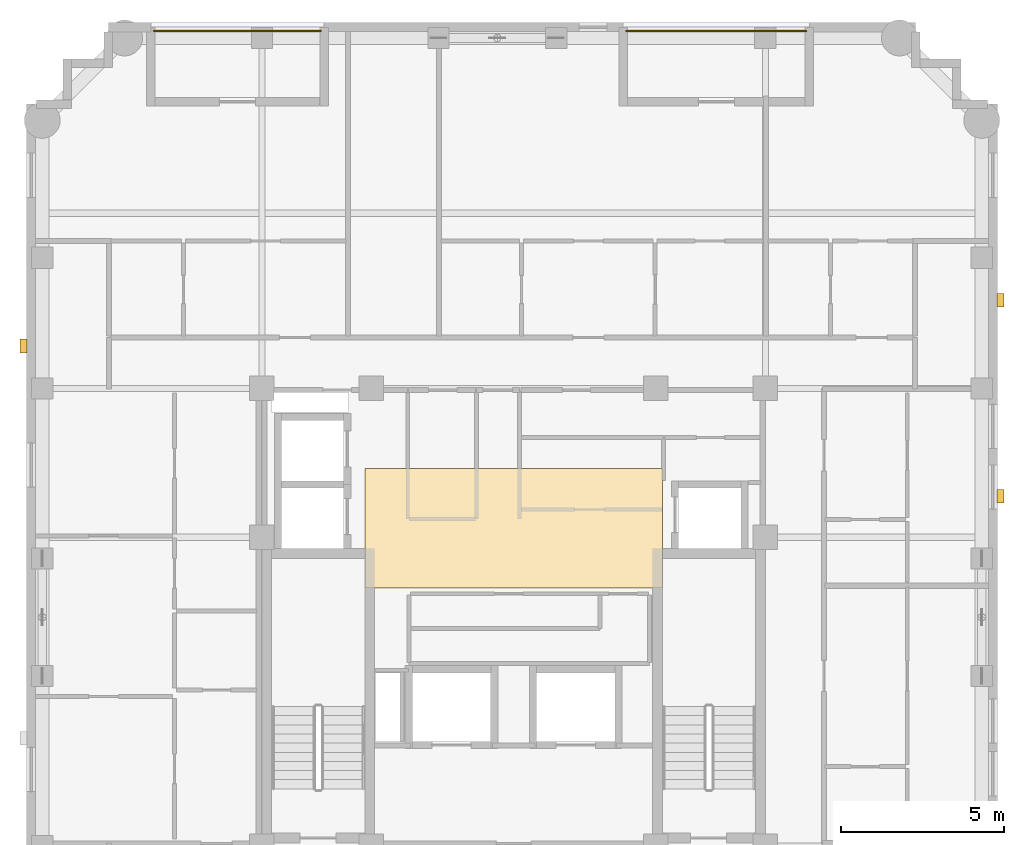
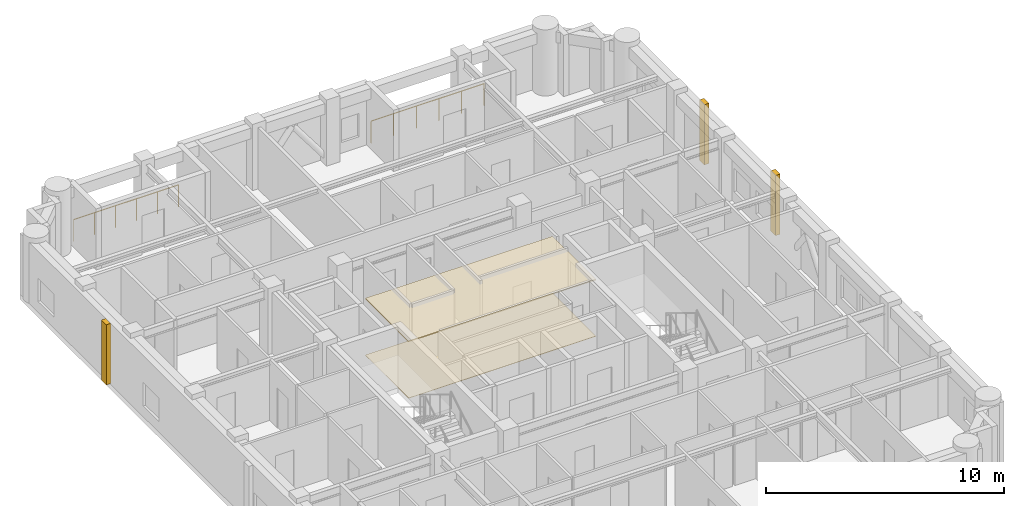
# One storey, part 10 of 10: 5 coverings, 2 railings.
"""IFC4 building model written with IfcOpenShell, lengths in metres."""

import ifcopenshell
import ifcopenshell.guid

model = None  # the IFC model being written
_history = None  # IfcOwnerHistory: only IFC2X3 demands one
_inside = {}  # id of a spatial element -> (the spatial element, [elements in it])
_under = {}  # id of a project, library or spatial element -> (it, [spatial elements below it])
_declared = {}  # id of a project -> (the project, [libraries it declares])
_typed = {}  # id of a type object -> (the type object, [elements of that type])
_made_of = {}  # id of a material, layer set ... -> (it, [elements and type objects made of it])


def new_model(schema):
    """Start an empty IFC model of exactly this schema.

    Asked for "IFC4X3", IfcOpenShell would pick the latest addendum, in which some entities
    have other attributes; the version numbers below select the first issue.
    IFC2X3 requires an IfcOwnerHistory on every rooted entity: one is made here for all.
    """
    global model, _history
    if schema == "IFC4X3":
        model = ifcopenshell.file(schema_version=(4, 3, 0, 0))
    else:
        model = ifcopenshell.file(schema=schema)
    _inside.clear()
    _under.clear()
    _declared.clear()
    _typed.clear()
    _made_of.clear()
    _history = None
    if model.schema == "IFC2X3":
        org = make("IfcOrganization", Name="unknown")
        user = make(
            "IfcPersonAndOrganization",
            ThePerson=make("IfcPerson", FamilyName="unknown"),
            TheOrganization=org,
        )
        app = make(
            "IfcApplication",
            ApplicationDeveloper=org,
            Version="unknown",
            ApplicationFullName="unknown",
            ApplicationIdentifier="unknown",
        )
        _history = make(
            "IfcOwnerHistory",
            OwningUser=user,
            OwningApplication=app,
            ChangeAction="ADDED",
            CreationDate=0,
        )
    return model


def make(cls, **values):
    """One entity of the class cls with the attributes given. An attribute that is None is left unset."""
    return model.create_entity(
        cls, **{name: value for name, value in values.items() if value is not None}
    )


def rooted(cls, **values):
    """An entity with a GlobalId (a new one), such as an element, a storey or a relation."""
    return make(cls, GlobalId=ifcopenshell.guid.new(), OwnerHistory=_history, **values)


def si_unit(unit_type, name, prefix=None):
    """IfcSIUnit, for example si_unit("LENGTHUNIT", "METRE", prefix="MILLI")."""
    return make("IfcSIUnit", UnitType=unit_type, Prefix=prefix, Name=name)


def derived_unit(unit_type, elements):
    """IfcDerivedUnit: a product of units, each with its exponent."""
    return make(
        "IfcDerivedUnit",
        Elements=[
            make("IfcDerivedUnitElement", Unit=unit, Exponent=power)
            for unit, power in elements
        ],
        UnitType=unit_type,
    )


def assignment(units):
    """IfcUnitAssignment: the units of a project."""
    return None if units is None else make("IfcUnitAssignment", Units=units)


def point(xyz):
    """IfcCartesianPoint."""
    return None if xyz is None else make("IfcCartesianPoint", Coordinates=xyz)


def direction(xyz):
    """IfcDirection."""
    return None if xyz is None else make("IfcDirection", DirectionRatios=xyz)


def frame(location, z_axis=None, x_axis=None):
    """IfcAxis2Placement3D, a coordinate frame: its origin and axes. An axis left out is left unset."""
    return make(
        "IfcAxis2Placement3D",
        Location=point(location),
        Axis=direction(z_axis),
        RefDirection=direction(x_axis),
    )


def frame_2d(location, x_axis=None):
    """IfcAxis2Placement2D, a coordinate frame in the plane: its origin and x axis."""
    return make(
        "IfcAxis2Placement2D", Location=point(location), RefDirection=direction(x_axis)
    )


def origin():
    """The frame at (0, 0, 0) with its axes left unset."""
    return frame((0.0, 0.0, 0.0))


def origin_2d():
    """The frame at (0, 0) in the plane with its x axis left unset."""
    return frame_2d((0.0, 0.0))


def place(relative_to, where):
    """IfcLocalPlacement: puts the frame where relative to a parent placement (None: the world)."""
    return make(
        "IfcLocalPlacement", PlacementRelTo=relative_to, RelativePlacement=where
    )


def context(
    kind, dimensions, precision=None, world=None, true_north=None, identifier=None
):
    """IfcGeometricRepresentationContext, for example the 3D "Model" context."""
    return make(
        "IfcGeometricRepresentationContext",
        ContextIdentifier=identifier,
        ContextType=kind,
        CoordinateSpaceDimension=dimensions,
        Precision=precision,
        WorldCoordinateSystem=world,
        TrueNorth=true_north,
    )


def subcontext(parent, identifier, kind, view, scale=None):
    """IfcGeometricRepresentationSubContext, for example "Body" below "Model"."""
    return make(
        "IfcGeometricRepresentationSubContext",
        ContextIdentifier=identifier,
        ContextType=kind,
        ParentContext=parent,
        TargetScale=scale,
        TargetView=view,
    )


def project(units=None, contexts=None):
    """IfcProject with its units and contexts."""
    return rooted(
        "IfcProject",
        Name="project",
        RepresentationContexts=contexts,
        UnitsInContext=assignment(units),
    )


def spatial(cls, under=None, at=None, **own):
    """A site, building, storey or space (cls), placed at a placement, below another one or the project."""
    s = rooted(cls, ObjectPlacement=at, **own)
    if under is not None:
        _under.setdefault(under.id(), (under, []))[1].append(s)
    return s


def polyline(points):
    """IfcPolyline through the points."""
    return make("IfcPolyline", Points=[point(p) for p in points])


def profile(cls, at=None, kind="AREA", **sizes):
    """A parametric profile (cls). Its sizes go by their IFC names, for example OverallWidth=200.0."""
    return make(cls, ProfileType=kind, Position=at, **sizes)


def rectangle(**sizes):
    """IfcRectangleProfileDef."""
    return profile("IfcRectangleProfileDef", **sizes)


def circle(**sizes):
    """IfcCircleProfileDef."""
    return profile("IfcCircleProfileDef", **sizes)


def outline(outer, holes=None, kind="AREA"):
    """IfcArbitraryClosedProfileDef: a profile drawn as a closed curve; with holes, ...WithVoids."""
    if holes is None:
        return make("IfcArbitraryClosedProfileDef", ProfileType=kind, OuterCurve=outer)
    return make(
        "IfcArbitraryProfileDefWithVoids",
        ProfileType=kind,
        OuterCurve=outer,
        InnerCurves=holes,
    )


def extrude(swept, where, along, depth):
    """IfcExtrudedAreaSolid: the profile swept, set in the frame where, extruded along a direction by depth."""
    return make(
        "IfcExtrudedAreaSolid",
        SweptArea=swept,
        Position=where,
        ExtrudedDirection=direction(along),
        Depth=depth,
    )


def shape(context_of_items, identifier, shape_type, items):
    """IfcShapeRepresentation: the items that make up one representation, for example the "Body"."""
    return make(
        "IfcShapeRepresentation",
        ContextOfItems=context_of_items,
        RepresentationIdentifier=identifier,
        RepresentationType=shape_type,
        Items=items,
    )


def material(Name=None, Category=None):
    """IfcMaterial."""
    return make("IfcMaterial", Name=Name, Category=Category)


def layer(
    of_material, thickness, ventilated=None, Name=None, Category=None, Priority=None
):
    """IfcMaterialLayer: one layer of a wall or slab, of a material (None: an air gap)."""
    return make(
        "IfcMaterialLayer",
        Material=of_material,
        LayerThickness=thickness,
        IsVentilated=ventilated,
        Name=Name,
        Category=Category,
        Priority=Priority,
    )


def layer_set(layers, Name=None):
    """IfcMaterialLayerSet."""
    return make("IfcMaterialLayerSet", MaterialLayers=layers, LayerSetName=Name)


def made_of(thing, what):
    """Note that an element or type object is made of a material, layer set ...; save() writes the relation."""
    if what is not None:
        _made_of.setdefault(what.id(), (what, []))[1].append(thing)
    return thing


def type_object(cls, material=None, **own):
    """A type object (cls), such as IfcWallType, which elements share."""
    return made_of(rooted(cls, **own), material)


def element(
    cls,
    number,
    at=None,
    inside=None,
    cuts=None,
    type_object=None,
    material=None,
    context=None,
    identifier="Body",
    shape_type=None,
    held_by="IfcProductDefinitionShape",
    body=None,
    shapes=None,
    **own,
):
    """One element of the class cls, such as IfcWall. Its Tag is "e" and its number.

    at: its placement. inside: the storey or other place that contains it. cuts: it is an
    opening in that element (IfcRelVoidsElement). A single representation is given by context,
    identifier, shape_type and body (its items); several are given by shapes. held_by: the class
    of the entity that holds the representations. save() writes the other relations.
    """
    e = rooted(cls, Tag="e%d" % number, ObjectPlacement=at, **own)
    if body is not None:
        shapes = [shape(context, identifier, shape_type, body)]
    if shapes is not None:
        e.Representation = make(held_by, Representations=shapes)
    if inside is not None:
        _inside.setdefault(inside.id(), (inside, []))[1].append(e)
    if cuts is not None:
        rooted(
            "IfcRelVoidsElement", RelatingBuildingElement=cuts, RelatedOpeningElement=e
        )
    if type_object is not None:
        _typed.setdefault(type_object.id(), (type_object, []))[1].append(e)
    return made_of(e, material)


def aggregate(whole, parts):
    """IfcRelAggregates: a whole, such as a stair, and the parts it consists of."""
    return rooted("IfcRelAggregates", RelatingObject=whole, RelatedObjects=parts)


def save(model, path):
    """Write the relations noted so far, then the file.

    IfcRelAggregates (storeys below a building ...), IfcRelContainedInSpatialStructure (elements
    in a storey), IfcRelDefinesByType, IfcRelAssociatesMaterial and IfcRelDeclares: one each for
    every whole, place, type object, material and project.
    """
    for whole, parts in _under.values():
        aggregate(whole, parts)
    for where, things in _inside.values():
        rooted(
            "IfcRelContainedInSpatialStructure",
            RelatedElements=things,
            RelatingStructure=where,
        )
    for kind, things in _typed.values():
        rooted("IfcRelDefinesByType", RelatedObjects=things, RelatingType=kind)
    for what, things in _made_of.values():
        rooted("IfcRelAssociatesMaterial", RelatedObjects=things, RelatingMaterial=what)
    for by, libraries in _declared.values():
        rooted("IfcRelDeclares", RelatingContext=by, RelatedDefinitions=libraries)
    model.write(path)


model = new_model("IFC4")

# Units and contexts
model_context = context("Model", 3, precision=1e-05, world=origin(), true_north=direction((0.0, 1.0)))
body_context = subcontext(model_context, "Body", "Model", "MODEL_VIEW")
ifc_project = project(units=[si_unit("LENGTHUNIT", "METRE"), si_unit("AREAUNIT", "SQUARE_METRE"), si_unit("VOLUMEUNIT", "CUBIC_METRE"), si_unit("PLANEANGLEUNIT", "RADIAN"), si_unit("MASSUNIT", "GRAM", prefix="KILO"), derived_unit("THERMALTRANSMITTANCEUNIT", [(si_unit("MASSUNIT", "GRAM", prefix="KILO"), 1), (si_unit("TIMEUNIT", "SECOND"), -3), (si_unit("THERMODYNAMICTEMPERATUREUNIT", "KELVIN"), -1)])], contexts=[model_context])

# Site, building, storey
site_placement = place(None, origin())
site = spatial("IfcSite", under=ifc_project, at=site_placement, CompositionType="ELEMENT")
building_placement = place(site_placement, origin())
building = spatial("IfcBuilding", under=site, at=building_placement, Name="Korrvale Station Residences", CompositionType="ELEMENT")
storey_placement = place(building_placement, frame((0.0, 0.0, 220.699951171875)))
storey = spatial("IfcBuildingStorey", under=building, at=storey_placement, Name="L64", CompositionType="ELEMENT", Elevation=220.699951171875)

# Coverings
ifc_material_1 = material(Name="Perforated acoustic mineral-fibre suspended ceiling", Category="gypsum")
ifc_layer_1 = layer(ifc_material_1, 0.050048828125, Name="Perforated acoustic mineral-fibre suspended ceiling")
ifc_layer_set_1 = layer_set([ifc_layer_1], Name="Perforated acoustic mineral-fibre suspended ceiling")
covering_type_1 = type_object("IfcCoveringType", Name="COV-CLG-AC60", PredefinedType="CEILING", material=ifc_layer_set_1)
covering_1_placement = place(storey_placement, frame((0.0, 0.0, 2.89013671875)))
element("IfcCovering", 1, at=covering_1_placement, inside=storey, type_object=covering_type_1, Name="L64 Elevator Lobby Acoustic Ceiling", PredefinedType="CEILING", context=body_context, shape_type="SweptSolid", body=[
    extrude(outline(polyline([(20.949951171875, 22.89990234375), (30.050048828125, 22.89990234375), (30.050048828125, 26.550048828125), (20.949951171875, 26.550048828125), (20.949951171875, 22.89990234375)])), origin(), (0.0, 0.0, 1.0), 0.0498046875),
])
ifc_material_2 = material(Name="Polished quartz-terrazzo lobby flooring", Category="masonry")
ifc_layer_2 = layer(ifc_material_2, 0.02001953125, Name="Polished quartz-terrazzo lobby flooring")
ifc_layer_set_2 = layer_set([ifc_layer_2], Name="Polished quartz-terrazzo lobby flooring")
covering_type_2 = type_object("IfcCoveringType", Name="COV-FLR-TER20", PredefinedType="FLOORING", material=ifc_layer_set_2)
covering_2_placement = place(storey_placement, origin())
element("IfcCovering", 2, at=covering_2_placement, inside=storey, type_object=covering_type_2, Name="L64 Elevator Lobby Terrazzo Flooring", PredefinedType="FLOORING", context=body_context, shape_type="SweptSolid", body=[
    extrude(outline(polyline([(20.949951171875, 22.89990234375), (30.050048828125, 22.89990234375), (30.050048828125, 26.550048828125), (20.949951171875, 26.550048828125), (20.949951171875, 22.89990234375)])), origin(), (0.0, 0.0, 1.0), 0.02001953125),
])
ifc_material_3 = material(Name="Architectural precast concrete C45/55", Category="concrete")
ifc_layer_3 = layer(ifc_material_3, 0.219970703125, Name="Architectural precast concrete C45/55")
ifc_layer_set_3 = layer_set([ifc_layer_3], Name="Architectural precast concrete C45/55")
covering_type_3 = type_object("IfcCoveringType", Name="COV-PIER-400", PredefinedType="CLADDING", material=ifc_layer_set_3)
for number, where, z_axis, x_axis, name in (
    (3, (10.510009765625, 30.300048828125, 0.02490234375), (0.0, 0.0, 1.0), (0.0, 1.0, 0.0), "L64 Architectural Precast Facade Pier 04"),
    (4, (40.389892578125, 31.699951171875, 0.02490234375), (0.0, 0.0, 1.0), (0.0, 1.0, 0.0), "L64 Architectural Precast Facade Pier 05"),
    (5, (40.389892578125, 25.699951171875, 0.02490234375), (0.0, 0.0, 1.0), (0.0, 1.0, 0.0), "L64 Architectural Precast Facade Pier 06"),
):
    element("IfcCovering", number, at=place(storey_placement, frame(where, z_axis=z_axis, x_axis=x_axis)), inside=storey, type_object=covering_type_3, Name=name, PredefinedType="CLADDING", context=body_context, shape_type="SweptSolid", body=[
        extrude(rectangle(XDim=0.419921875, YDim=0.219970703125, at=origin_2d()), origin(), (0.0, 0.0, 1.0), 3.090087890625),
    ])

# Railings
ifc_material_4 = material(Name="Powder-coated aluminium picket loggia guard", Category="aluminium")
railing_type = type_object("IfcRailingType", Name="RLG-BAL-1150", PredefinedType="GUARDRAIL", material=ifc_material_4)
railing_1_placement = place(storey_placement, frame((14.5, 39.929931640625, 0.0)))
element("IfcRailing", 6, at=railing_1_placement, inside=storey, type_object=railing_type, Name="L64 Recessed Loggia Guardrail BAL-L64-N2", PredefinedType="GUARDRAIL", context=body_context, shape_type="SweptSolid", body=[
    extrude(circle(Radius=0.02392578125, at=origin_2d()), frame((0.0, 0.0, 1.1259765625), z_axis=(1.0, 0.0, 0.0), x_axis=(0.0, 1.0, 0.0)), (0.0, 0.0, 1.0), 5.10009765625),
    extrude(circle(Radius=0.02099609375, at=origin_2d()), origin(), (0.0, 0.0, 1.0), 1.101806640625),
    extrude(circle(Radius=0.02099609375, at=origin_2d()), frame((1.02001953125, 0.0, 0.0)), (0.0, 0.0, 1.0), 1.101806640625),
    extrude(circle(Radius=0.02099609375, at=origin_2d()), frame((2.0400390625, 0.0, 0.0)), (0.0, 0.0, 1.0), 1.101806640625),
    extrude(circle(Radius=0.02099609375, at=origin_2d()), frame((3.06005859375, 0.0, 0.0)), (0.0, 0.0, 1.0), 1.101806640625),
    extrude(circle(Radius=0.02099609375, at=origin_2d()), frame((4.080078125, 0.0, 0.0)), (0.0, 0.0, 1.0), 1.101806640625),
    extrude(circle(Radius=0.02099609375, at=origin_2d()), frame((5.10009765625, 0.0, 0.0)), (0.0, 0.0, 1.0), 1.101806640625),
])
railing_2_placement = place(storey_placement, frame((28.949951171875, 39.929931640625, 0.0)))
element("IfcRailing", 7, at=railing_2_placement, inside=storey, type_object=railing_type, Name="L64 Recessed Loggia Guardrail BAL-L64-N1", PredefinedType="GUARDRAIL", context=body_context, shape_type="SweptSolid", body=[
    extrude(circle(Radius=0.02392578125, at=origin_2d()), frame((0.0, 0.0, 1.1259765625), z_axis=(1.0, 0.0, 0.0), x_axis=(0.0, 1.0, 0.0)), (0.0, 0.0, 1.0), 5.5),
    extrude(circle(Radius=0.02099609375, at=origin_2d()), origin(), (0.0, 0.0, 1.0), 1.101806640625),
    extrude(circle(Radius=0.02099609375, at=origin_2d()), frame((1.10009765625, 0.0, 0.0)), (0.0, 0.0, 1.0), 1.101806640625),
    extrude(circle(Radius=0.02099609375, at=origin_2d()), frame((2.199951171875, 0.0, 0.0)), (0.0, 0.0, 1.0), 1.101806640625),
    extrude(circle(Radius=0.02099609375, at=origin_2d()), frame((3.300048828125, 0.0, 0.0)), (0.0, 0.0, 1.0), 1.101806640625),
    extrude(circle(Radius=0.02099609375, at=origin_2d()), frame((4.39990234375, 0.0, 0.0)), (0.0, 0.0, 1.0), 1.101806640625),
    extrude(circle(Radius=0.02099609375, at=origin_2d()), frame((5.5, 0.0, 0.0)), (0.0, 0.0, 1.0), 1.101806640625),
])

save(model, "model.ifc")
